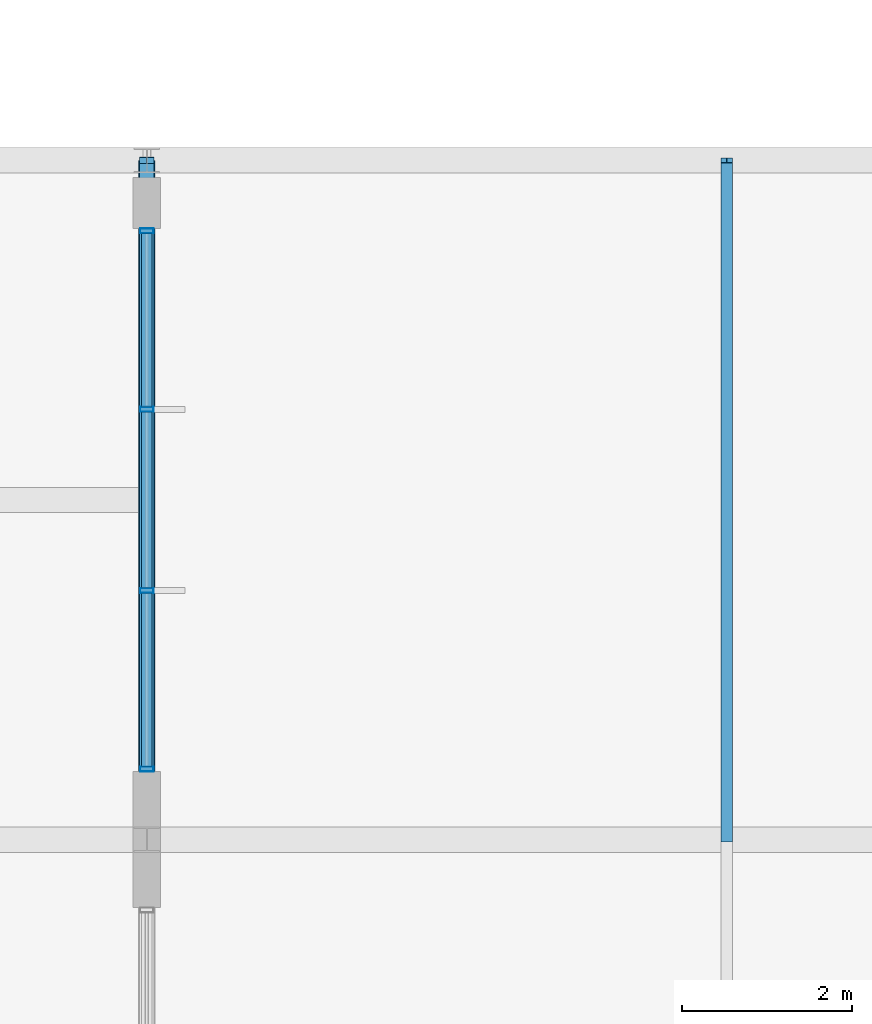
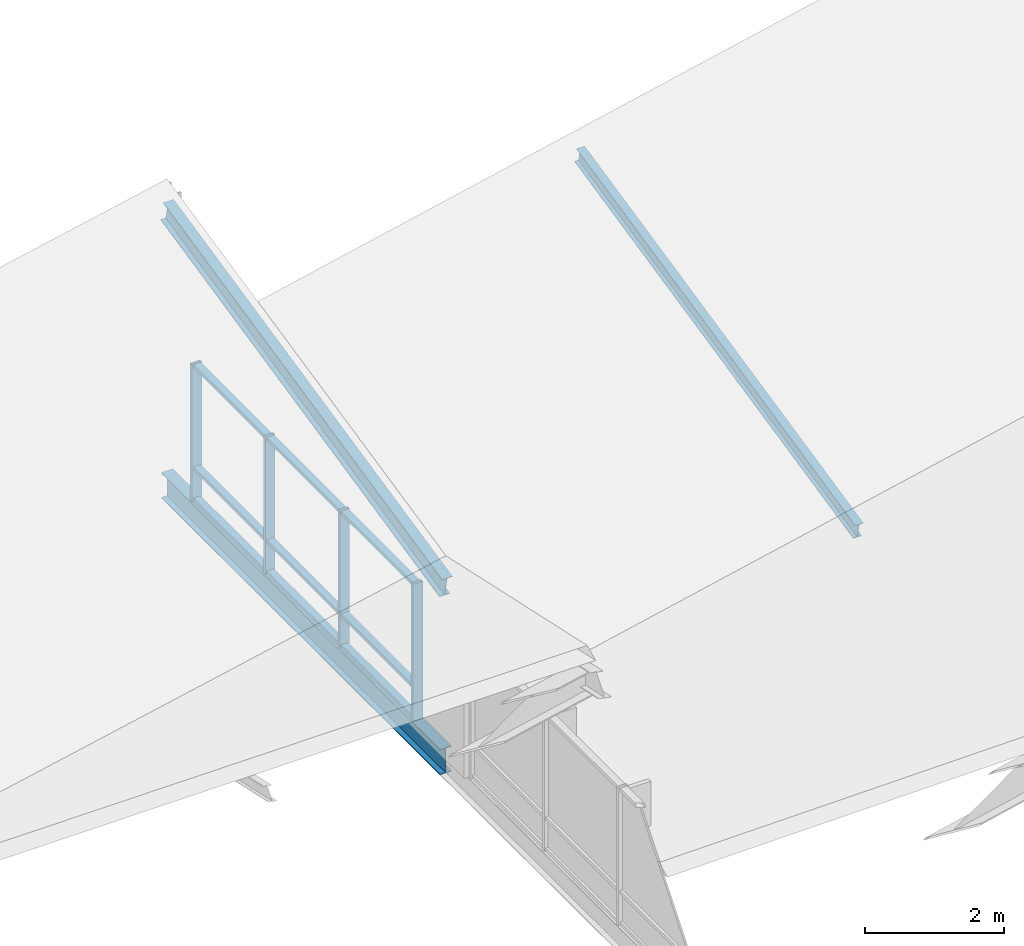
# One storey, part 50 of 109: 14 members, 2 beams, 1 element without a shape of its own.
"""IFC4 building model written with IfcOpenShell, lengths in metres."""

from ifc_helpers import new_model, si_unit, direction, frame, origin, origin_2d, place, context, subcontext, project, spatial, hollow_rectangle, i_section, extrude, material, material_profile, profile_set, type_object, element, aggregate, save


model = new_model("IFC4")

# Units and contexts
model_context = context("Model", 3, precision=1e-05, world=origin(), true_north=direction((0.0, 1.0)))
body_context = subcontext(model_context, "Body", "Model", "MODEL_VIEW")
ifc_project = project(units=[si_unit("LENGTHUNIT", "METRE"), si_unit("AREAUNIT", "SQUARE_METRE"), si_unit("VOLUMEUNIT", "CUBIC_METRE"), si_unit("PLANEANGLEUNIT", "RADIAN"), si_unit("MASSUNIT", "GRAM", prefix="KILO")], contexts=[model_context])

# Site, building, storey
site_placement = place(None, origin())
site = spatial("IfcSite", under=ifc_project, at=site_placement, CompositionType="ELEMENT")
building_placement = place(site_placement, origin())
building = spatial("IfcBuilding", under=site, at=building_placement, Name="Zavelmont Quarter", CompositionType="ELEMENT")
storey_placement = place(building_placement, frame((0.0, 0.0, 8.0)))
storey = spatial("IfcBuildingStorey", under=building, at=storey_placement, Name="L02", CompositionType="ELEMENT", Elevation=8.0)

# Beams
ifc_material_1 = material(Name="Steel S355", Category="steel")
ifc_material_profile_1 = material_profile(ifc_material_1, i_section(OverallWidth=0.18994140625, OverallDepth=0.449951171875, WebThickness=0.009521484375, FlangeThickness=0.0146484375, at=origin_2d()), Name="IPE 450")
ifc_profile_set_1 = profile_set([ifc_material_profile_1], Name="Steel S355")
beam_type_1 = type_object("IfcBeamType", Name="BM12", PredefinedType="BEAM", material=ifc_profile_set_1)
beam_1_placement = place(storey_placement, frame((147.300048828125, 70.0, -0.5849609375), z_axis=(0.0, 1.0, 0.0), x_axis=(-1.0, 0.0, 0.0)))
element("IfcBeam", 1, at=beam_1_placement, inside=storey, type_object=beam_type_1, Name="L02 beam BM12 22/L to 22/M", PredefinedType="BEAM", context=body_context, shape_type="SweptSolid", body=[
    extrude(i_section(OverallWidth=0.18994140625, OverallDepth=0.449951171875, WebThickness=0.009521484375, FlangeThickness=0.0146484375, at=origin_2d()), origin(), (0.0, 0.0, 1.0), 8.0),
])
ifc_material_profile_2 = material_profile(ifc_material_1, i_section(OverallWidth=0.169921875, OverallDepth=0.360107421875, WebThickness=0.008056640625, FlangeThickness=0.0126953125, at=origin_2d()), Name="IPE 360")
ifc_profile_set_2 = profile_set([ifc_material_profile_2], Name="Steel S355")
beam_type_2 = type_object("IfcBeamType", Name="BM13", PredefinedType="BEAM", material=ifc_profile_set_2)
beam_2_placement = place(storey_placement, frame((147.300048828125, 70.0, 2.4599609375), z_axis=(0.0, 0.976900017396, 0.213696878805), x_axis=(-1.0, 0.0, 0.0)))
element("IfcBeam", 2, at=beam_2_placement, inside=storey, type_object=beam_type_2, Name="L02 beam BM13 22/L to 22/M", PredefinedType="BEAM", context=body_context, shape_type="SweptSolid", body=[
    extrude(i_section(OverallWidth=0.169921875, OverallDepth=0.360107421875, WebThickness=0.008056640625, FlangeThickness=0.0126953125, at=origin_2d()), origin(), (0.0, 0.0, 1.0), 8.189208984375),
])

# Curtain wall, members
ifc_material_2 = material(Name="Thermally broken aluminium and double low-E safety glazing", Category="aluminium")
curtain_wall_type = type_object("IfcCurtainWallType", Name="CW-640X240", PredefinedType="NOTDEFINED", material=ifc_material_2)
curtain_wall_placement = place(storey_placement, origin())
curtain_wall = element("IfcCurtainWall", 3, at=curtain_wall_placement, inside=storey, type_object=curtain_wall_type, Name="L02 unitised curtain wall CW-640X240", PredefinedType="NOTDEFINED")
ifc_material_3 = material(Name="Powder-coated aluminium EN AW-6063-T6", Category="aluminium")
ifc_material_profile_3 = material_profile(ifc_material_3, hollow_rectangle(XDim=0.06005859375, YDim=0.159912109375, WallThickness=0.00390625, at=origin_2d()), Name="CWM60X160")
ifc_profile_set_3 = profile_set([ifc_material_profile_3], Name="Powder-coated aluminium EN AW-6063-T6")
member_type_1 = type_object("IfcMemberType", Name="CWM01", PredefinedType="MULLION", material=ifc_profile_set_3)
member_1_placement = place(storey_placement, frame((147.300048828125, 70.830078125, -0.360107421875), z_axis=(0.0, 0.0, 1.0), x_axis=(0.0, 1.0, 0.0)))
member_1 = element("IfcMember", 4, at=member_1_placement, type_object=member_type_1, Name="CW-640X240 mullion 1", PredefinedType="MULLION", context=body_context, shape_type="SweptSolid", body=[
    extrude(hollow_rectangle(XDim=0.06005859375, YDim=0.159912109375, WallThickness=0.00390625, at=origin_2d()), origin(), (0.0, 0.0, 1.0), 2.400146484375),
])
member_2_placement = place(storey_placement, frame((147.300048828125, 72.933349609375, -0.360107421875), z_axis=(0.0, 0.0, 1.0), x_axis=(0.0, 1.0, 0.0)))
member_2 = element("IfcMember", 5, at=member_2_placement, type_object=member_type_1, Name="CW-640X240 mullion 2", PredefinedType="MULLION", context=body_context, shape_type="SweptSolid", body=[
    extrude(hollow_rectangle(XDim=0.06005859375, YDim=0.159912109375, WallThickness=0.00390625, at=origin_2d()), origin(), (0.0, 0.0, 1.0), 2.400146484375),
])
member_3_placement = place(storey_placement, frame((147.300048828125, 75.066650390625, -0.360107421875), z_axis=(0.0, 0.0, 1.0), x_axis=(0.0, 1.0, 0.0)))
member_3 = element("IfcMember", 6, at=member_3_placement, type_object=member_type_1, Name="CW-640X240 mullion 3", PredefinedType="MULLION", context=body_context, shape_type="SweptSolid", body=[
    extrude(hollow_rectangle(XDim=0.06005859375, YDim=0.159912109375, WallThickness=0.00390625, at=origin_2d()), origin(), (0.0, 0.0, 1.0), 2.400146484375),
])
member_4_placement = place(storey_placement, frame((147.300048828125, 77.169921875, -0.360107421875), z_axis=(0.0, 0.0, 1.0), x_axis=(0.0, 1.0, 0.0)))
member_4 = element("IfcMember", 7, at=member_4_placement, type_object=member_type_1, Name="CW-640X240 mullion 4", PredefinedType="MULLION", context=body_context, shape_type="SweptSolid", body=[
    extrude(hollow_rectangle(XDim=0.06005859375, YDim=0.159912109375, WallThickness=0.00390625, at=origin_2d()), origin(), (0.0, 0.0, 1.0), 2.400146484375),
])
ifc_material_profile_4 = material_profile(ifc_material_3, hollow_rectangle(XDim=0.1201171875, YDim=0.06005859375, WallThickness=0.00390625, at=origin_2d()), Name="CWT60X120")
ifc_profile_set_4 = profile_set([ifc_material_profile_4], Name="Powder-coated aluminium EN AW-6063-T6")
member_type_2 = type_object("IfcMemberType", Name="CWT01", PredefinedType="NOTDEFINED", material=ifc_profile_set_4)
member_5_placement = place(storey_placement, frame((147.300048828125, 70.860107421875, -0.330078125), z_axis=(0.0, 1.0, 0.0), x_axis=(-1.0, 0.0, 0.0)))
member_5 = element("IfcMember", 8, at=member_5_placement, type_object=member_type_2, Name="CW-640X240 transom 1.1", ObjectType="TRANSOM", PredefinedType="USERDEFINED", context=body_context, shape_type="SweptSolid", body=[
    extrude(hollow_rectangle(XDim=0.1201171875, YDim=0.06005859375, WallThickness=0.00390625, at=origin_2d()), origin(), (0.0, 0.0, 1.0), 2.043212890625),
])
member_6_placement = place(storey_placement, frame((147.300048828125, 70.860107421875, 0.216064453125), z_axis=(0.0, 1.0, 0.0), x_axis=(-1.0, 0.0, 0.0)))
member_6 = element("IfcMember", 9, at=member_6_placement, type_object=member_type_2, Name="CW-640X240 transom 1.2", ObjectType="TRANSOM", PredefinedType="USERDEFINED", context=body_context, shape_type="SweptSolid", body=[
    extrude(hollow_rectangle(XDim=0.1201171875, YDim=0.06005859375, WallThickness=0.00390625, at=origin_2d()), origin(), (0.0, 0.0, 1.0), 2.043212890625),
])
member_7_placement = place(storey_placement, frame((147.300048828125, 70.860107421875, 2.010009765625), z_axis=(0.0, 1.0, 0.0), x_axis=(-1.0, 0.0, 0.0)))
member_7 = element("IfcMember", 10, at=member_7_placement, type_object=member_type_2, Name="CW-640X240 transom 1.3", ObjectType="TRANSOM", PredefinedType="USERDEFINED", context=body_context, shape_type="SweptSolid", body=[
    extrude(hollow_rectangle(XDim=0.1201171875, YDim=0.06005859375, WallThickness=0.00390625, at=origin_2d()), origin(), (0.0, 0.0, 1.0), 2.043212890625),
])
member_8_placement = place(storey_placement, frame((147.300048828125, 72.96337890625, -0.330078125), z_axis=(0.0, 1.0, 0.0), x_axis=(-1.0, 0.0, 0.0)))
member_8 = element("IfcMember", 11, at=member_8_placement, type_object=member_type_2, Name="CW-640X240 transom 2.1", ObjectType="TRANSOM", PredefinedType="USERDEFINED", context=body_context, shape_type="SweptSolid", body=[
    extrude(hollow_rectangle(XDim=0.1201171875, YDim=0.06005859375, WallThickness=0.00390625, at=origin_2d()), origin(), (0.0, 0.0, 1.0), 2.0732421875),
])
member_9_placement = place(storey_placement, frame((147.300048828125, 72.96337890625, 0.216064453125), z_axis=(0.0, 1.0, 0.0), x_axis=(-1.0, 0.0, 0.0)))
member_9 = element("IfcMember", 12, at=member_9_placement, type_object=member_type_2, Name="CW-640X240 transom 2.2", ObjectType="TRANSOM", PredefinedType="USERDEFINED", context=body_context, shape_type="SweptSolid", body=[
    extrude(hollow_rectangle(XDim=0.1201171875, YDim=0.06005859375, WallThickness=0.00390625, at=origin_2d()), origin(), (0.0, 0.0, 1.0), 2.0732421875),
])
member_10_placement = place(storey_placement, frame((147.300048828125, 72.96337890625, 2.010009765625), z_axis=(0.0, 1.0, 0.0), x_axis=(-1.0, 0.0, 0.0)))
member_10 = element("IfcMember", 13, at=member_10_placement, type_object=member_type_2, Name="CW-640X240 transom 2.3", ObjectType="TRANSOM", PredefinedType="USERDEFINED", context=body_context, shape_type="SweptSolid", body=[
    extrude(hollow_rectangle(XDim=0.1201171875, YDim=0.06005859375, WallThickness=0.00390625, at=origin_2d()), origin(), (0.0, 0.0, 1.0), 2.0732421875),
])
member_11_placement = place(storey_placement, frame((147.300048828125, 75.0966796875, -0.330078125), z_axis=(0.0, 1.0, 0.0), x_axis=(-1.0, 0.0, 0.0)))
member_11 = element("IfcMember", 14, at=member_11_placement, type_object=member_type_2, Name="CW-640X240 transom 3.1", ObjectType="TRANSOM", PredefinedType="USERDEFINED", context=body_context, shape_type="SweptSolid", body=[
    extrude(hollow_rectangle(XDim=0.1201171875, YDim=0.06005859375, WallThickness=0.00390625, at=origin_2d()), origin(), (0.0, 0.0, 1.0), 2.043212890625),
])
member_12_placement = place(storey_placement, frame((147.300048828125, 75.0966796875, 0.216064453125), z_axis=(0.0, 1.0, 0.0), x_axis=(-1.0, 0.0, 0.0)))
member_12 = element("IfcMember", 15, at=member_12_placement, type_object=member_type_2, Name="CW-640X240 transom 3.2", ObjectType="TRANSOM", PredefinedType="USERDEFINED", context=body_context, shape_type="SweptSolid", body=[
    extrude(hollow_rectangle(XDim=0.1201171875, YDim=0.06005859375, WallThickness=0.00390625, at=origin_2d()), origin(), (0.0, 0.0, 1.0), 2.043212890625),
])
member_13_placement = place(storey_placement, frame((147.300048828125, 75.0966796875, 2.010009765625), z_axis=(0.0, 1.0, 0.0), x_axis=(-1.0, 0.0, 0.0)))
member_13 = element("IfcMember", 16, at=member_13_placement, type_object=member_type_2, Name="CW-640X240 transom 3.3", ObjectType="TRANSOM", PredefinedType="USERDEFINED", context=body_context, shape_type="SweptSolid", body=[
    extrude(hollow_rectangle(XDim=0.1201171875, YDim=0.06005859375, WallThickness=0.00390625, at=origin_2d()), origin(), (0.0, 0.0, 1.0), 2.043212890625),
])
aggregate(curtain_wall, [member_1, member_2, member_3, member_4, member_5, member_6, member_7, member_8, member_9, member_10, member_11, member_12, member_13])

# Member
ifc_material_profile_5 = material_profile(ifc_material_1, i_section(OverallWidth=0.135009765625, OverallDepth=0.27001953125, WebThickness=0.006591796875, FlangeThickness=0.01025390625, at=origin_2d()), Name="IPE 270")
ifc_profile_set_5 = profile_set([ifc_material_profile_5], Name="Steel S355")
member_type_3 = type_object("IfcMemberType", Name="PR01", PredefinedType="PURLIN", material=ifc_profile_set_5)
member_14_placement = place(storey_placement, frame((154.131103515625, 70.0, 1.04638671875), z_axis=(0.0, 0.976900017396, 0.213696878805), x_axis=(-1.0, 0.0, 0.0)))
element("IfcMember", 17, at=member_14_placement, inside=storey, type_object=member_type_3, Name="L02 member PR01 23/L to 23/M", PredefinedType="PURLIN", context=body_context, shape_type="SweptSolid", body=[
    extrude(i_section(OverallWidth=0.135009765625, OverallDepth=0.27001953125, WebThickness=0.006591796875, FlangeThickness=0.01025390625, at=origin_2d()), origin(), (0.0, 0.0, 1.0), 8.189208984375),
])

save(model, "model.ifc")
